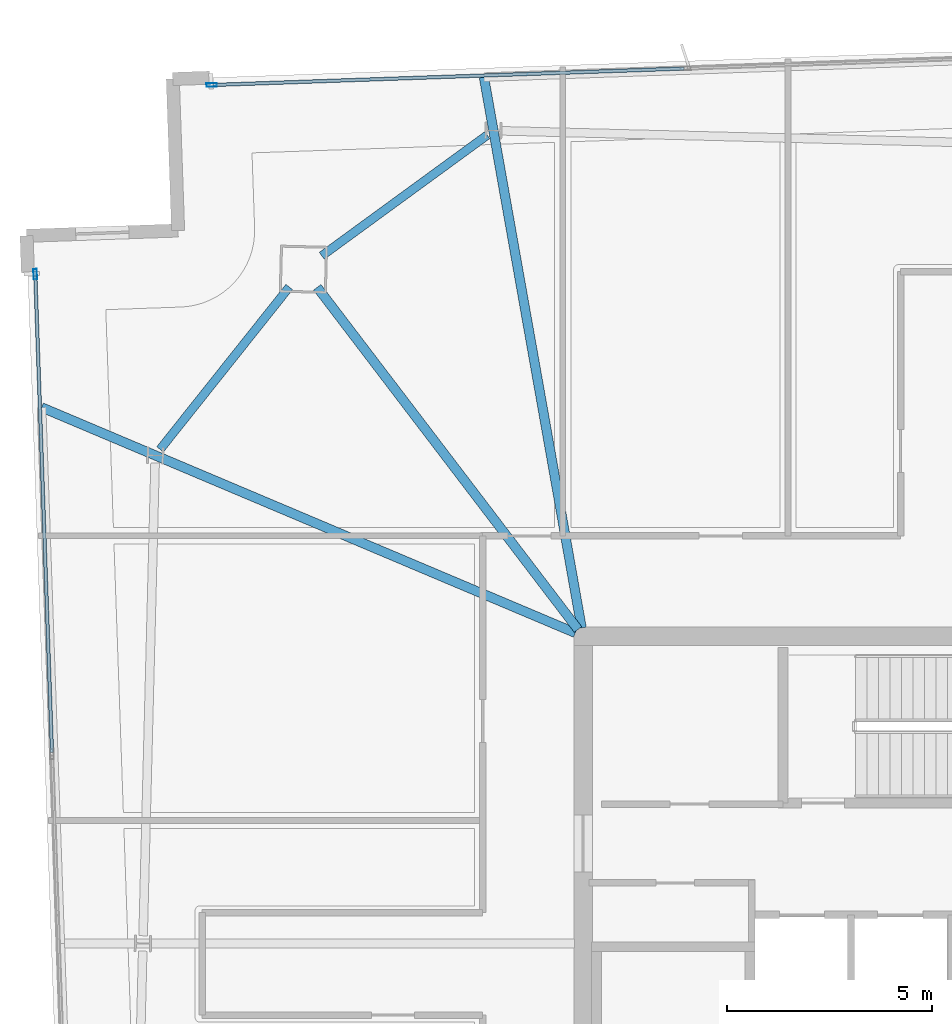
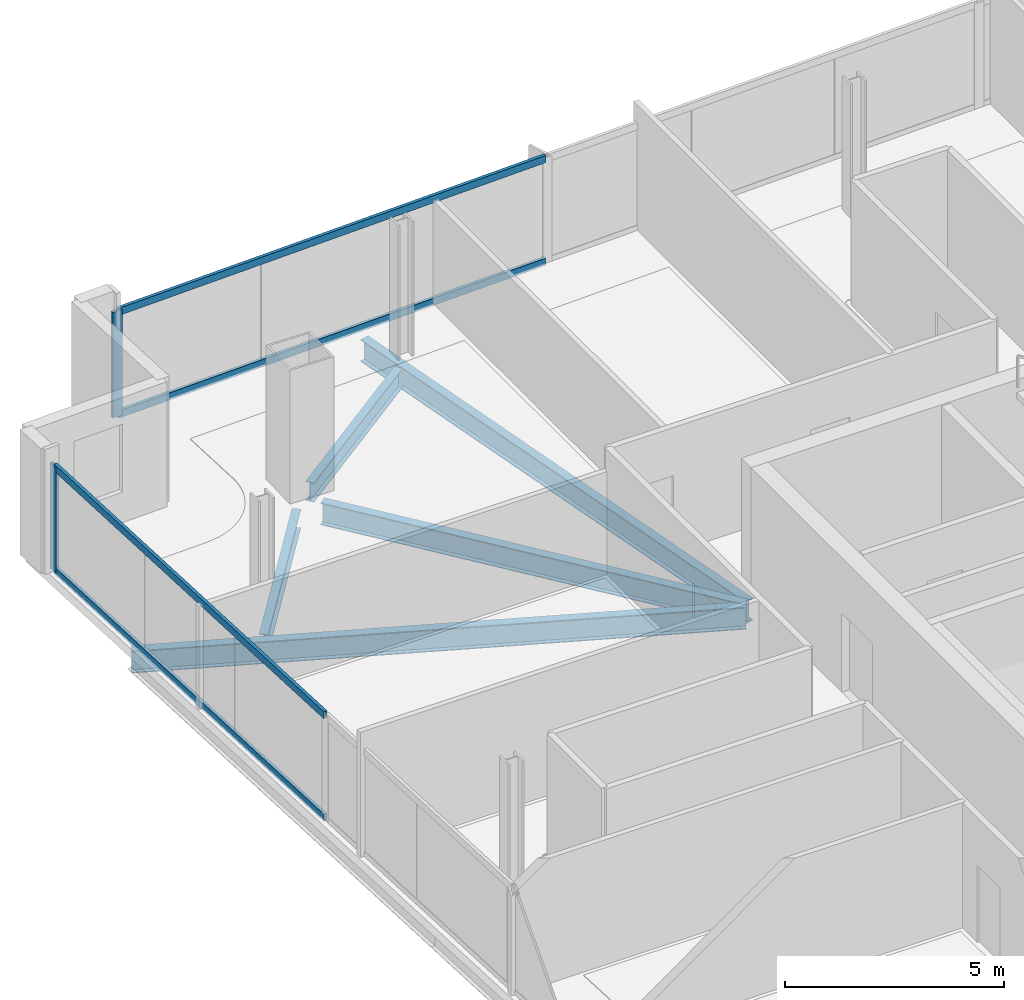
# One storey, part 11 of 23: 6 members, 5 beams, 2 elements without a shape of their own.
"""IFC4 building model written with IfcOpenShell, lengths in metres."""

import ifcopenshell
import ifcopenshell.guid

model = None  # the IFC model being written
_history = None  # IfcOwnerHistory: only IFC2X3 demands one
_inside = {}  # id of a spatial element -> (the spatial element, [elements in it])
_under = {}  # id of a project, library or spatial element -> (it, [spatial elements below it])
_declared = {}  # id of a project -> (the project, [libraries it declares])
_typed = {}  # id of a type object -> (the type object, [elements of that type])
_made_of = {}  # id of a material, layer set ... -> (it, [elements and type objects made of it])


def new_model(schema):
    """Start an empty IFC model of exactly this schema.

    Asked for "IFC4X3", IfcOpenShell would pick the latest addendum, in which some entities
    have other attributes; the version numbers below select the first issue.
    IFC2X3 requires an IfcOwnerHistory on every rooted entity: one is made here for all.
    """
    global model, _history
    if schema == "IFC4X3":
        model = ifcopenshell.file(schema_version=(4, 3, 0, 0))
    else:
        model = ifcopenshell.file(schema=schema)
    _inside.clear()
    _under.clear()
    _declared.clear()
    _typed.clear()
    _made_of.clear()
    _history = None
    if model.schema == "IFC2X3":
        org = make("IfcOrganization", Name="unknown")
        user = make(
            "IfcPersonAndOrganization",
            ThePerson=make("IfcPerson", FamilyName="unknown"),
            TheOrganization=org,
        )
        app = make(
            "IfcApplication",
            ApplicationDeveloper=org,
            Version="unknown",
            ApplicationFullName="unknown",
            ApplicationIdentifier="unknown",
        )
        _history = make(
            "IfcOwnerHistory",
            OwningUser=user,
            OwningApplication=app,
            ChangeAction="ADDED",
            CreationDate=0,
        )
    return model


def make(cls, **values):
    """One entity of the class cls with the attributes given. An attribute that is None is left unset."""
    return model.create_entity(
        cls, **{name: value for name, value in values.items() if value is not None}
    )


def rooted(cls, **values):
    """An entity with a GlobalId (a new one), such as an element, a storey or a relation."""
    return make(cls, GlobalId=ifcopenshell.guid.new(), OwnerHistory=_history, **values)


def si_unit(unit_type, name, prefix=None):
    """IfcSIUnit, for example si_unit("LENGTHUNIT", "METRE", prefix="MILLI")."""
    return make("IfcSIUnit", UnitType=unit_type, Prefix=prefix, Name=name)


def assignment(units):
    """IfcUnitAssignment: the units of a project."""
    return None if units is None else make("IfcUnitAssignment", Units=units)


def point(xyz):
    """IfcCartesianPoint."""
    return None if xyz is None else make("IfcCartesianPoint", Coordinates=xyz)


def direction(xyz):
    """IfcDirection."""
    return None if xyz is None else make("IfcDirection", DirectionRatios=xyz)


def frame(location, z_axis=None, x_axis=None):
    """IfcAxis2Placement3D, a coordinate frame: its origin and axes. An axis left out is left unset."""
    return make(
        "IfcAxis2Placement3D",
        Location=point(location),
        Axis=direction(z_axis),
        RefDirection=direction(x_axis),
    )


def frame_2d(location, x_axis=None):
    """IfcAxis2Placement2D, a coordinate frame in the plane: its origin and x axis."""
    return make(
        "IfcAxis2Placement2D", Location=point(location), RefDirection=direction(x_axis)
    )


def origin():
    """The frame at (0, 0, 0) with its axes left unset."""
    return frame((0.0, 0.0, 0.0))


def origin_2d():
    """The frame at (0, 0) in the plane with its x axis left unset."""
    return frame_2d((0.0, 0.0))


def place(relative_to, where):
    """IfcLocalPlacement: puts the frame where relative to a parent placement (None: the world)."""
    return make(
        "IfcLocalPlacement", PlacementRelTo=relative_to, RelativePlacement=where
    )


def context(
    kind, dimensions, precision=None, world=None, true_north=None, identifier=None
):
    """IfcGeometricRepresentationContext, for example the 3D "Model" context."""
    return make(
        "IfcGeometricRepresentationContext",
        ContextIdentifier=identifier,
        ContextType=kind,
        CoordinateSpaceDimension=dimensions,
        Precision=precision,
        WorldCoordinateSystem=world,
        TrueNorth=true_north,
    )


def subcontext(parent, identifier, kind, view, scale=None):
    """IfcGeometricRepresentationSubContext, for example "Body" below "Model"."""
    return make(
        "IfcGeometricRepresentationSubContext",
        ContextIdentifier=identifier,
        ContextType=kind,
        ParentContext=parent,
        TargetScale=scale,
        TargetView=view,
    )


def project(units=None, contexts=None):
    """IfcProject with its units and contexts."""
    return rooted(
        "IfcProject",
        Name="project",
        RepresentationContexts=contexts,
        UnitsInContext=assignment(units),
    )


def spatial(cls, under=None, at=None, **own):
    """A site, building, storey or space (cls), placed at a placement, below another one or the project."""
    s = rooted(cls, ObjectPlacement=at, **own)
    if under is not None:
        _under.setdefault(under.id(), (under, []))[1].append(s)
    return s


def profile(cls, at=None, kind="AREA", **sizes):
    """A parametric profile (cls). Its sizes go by their IFC names, for example OverallWidth=200.0."""
    return make(cls, ProfileType=kind, Position=at, **sizes)


def hollow_rectangle(**sizes):
    """IfcRectangleHollowProfileDef."""
    return profile("IfcRectangleHollowProfileDef", **sizes)


def i_section(**sizes):
    """IfcIShapeProfileDef."""
    return profile("IfcIShapeProfileDef", **sizes)


def extrude(swept, where, along, depth):
    """IfcExtrudedAreaSolid: the profile swept, set in the frame where, extruded along a direction by depth."""
    return make(
        "IfcExtrudedAreaSolid",
        SweptArea=swept,
        Position=where,
        ExtrudedDirection=direction(along),
        Depth=depth,
    )


def shape(context_of_items, identifier, shape_type, items):
    """IfcShapeRepresentation: the items that make up one representation, for example the "Body"."""
    return make(
        "IfcShapeRepresentation",
        ContextOfItems=context_of_items,
        RepresentationIdentifier=identifier,
        RepresentationType=shape_type,
        Items=items,
    )


def material(Name=None, Category=None):
    """IfcMaterial."""
    return make("IfcMaterial", Name=Name, Category=Category)


def material_profile(
    of_material, cross_section, Name=None, Category=None, Priority=None
):
    """IfcMaterialProfile: a cross section and its material."""
    return make(
        "IfcMaterialProfile",
        Name=Name,
        Material=of_material,
        Profile=cross_section,
        Priority=Priority,
        Category=Category,
    )


def profile_set(profiles, Name=None, composite=None):
    """IfcMaterialProfileSet."""
    return make(
        "IfcMaterialProfileSet",
        Name=Name,
        MaterialProfiles=profiles,
        CompositeProfile=composite,
    )


def made_of(thing, what):
    """Note that an element or type object is made of a material, layer set ...; save() writes the relation."""
    if what is not None:
        _made_of.setdefault(what.id(), (what, []))[1].append(thing)
    return thing


def type_object(cls, material=None, **own):
    """A type object (cls), such as IfcWallType, which elements share."""
    return made_of(rooted(cls, **own), material)


def element(
    cls,
    number,
    at=None,
    inside=None,
    cuts=None,
    type_object=None,
    material=None,
    context=None,
    identifier="Body",
    shape_type=None,
    held_by="IfcProductDefinitionShape",
    body=None,
    shapes=None,
    **own,
):
    """One element of the class cls, such as IfcWall. Its Tag is "e" and its number.

    at: its placement. inside: the storey or other place that contains it. cuts: it is an
    opening in that element (IfcRelVoidsElement). A single representation is given by context,
    identifier, shape_type and body (its items); several are given by shapes. held_by: the class
    of the entity that holds the representations. save() writes the other relations.
    """
    e = rooted(cls, Tag="e%d" % number, ObjectPlacement=at, **own)
    if body is not None:
        shapes = [shape(context, identifier, shape_type, body)]
    if shapes is not None:
        e.Representation = make(held_by, Representations=shapes)
    if inside is not None:
        _inside.setdefault(inside.id(), (inside, []))[1].append(e)
    if cuts is not None:
        rooted(
            "IfcRelVoidsElement", RelatingBuildingElement=cuts, RelatedOpeningElement=e
        )
    if type_object is not None:
        _typed.setdefault(type_object.id(), (type_object, []))[1].append(e)
    return made_of(e, material)


def aggregate(whole, parts):
    """IfcRelAggregates: a whole, such as a stair, and the parts it consists of."""
    return rooted("IfcRelAggregates", RelatingObject=whole, RelatedObjects=parts)


def save(model, path):
    """Write the relations noted so far, then the file.

    IfcRelAggregates (storeys below a building ...), IfcRelContainedInSpatialStructure (elements
    in a storey), IfcRelDefinesByType, IfcRelAssociatesMaterial and IfcRelDeclares: one each for
    every whole, place, type object, material and project.
    """
    for whole, parts in _under.values():
        aggregate(whole, parts)
    for where, things in _inside.values():
        rooted(
            "IfcRelContainedInSpatialStructure",
            RelatedElements=things,
            RelatingStructure=where,
        )
    for kind, things in _typed.values():
        rooted("IfcRelDefinesByType", RelatedObjects=things, RelatingType=kind)
    for what, things in _made_of.values():
        rooted("IfcRelAssociatesMaterial", RelatedObjects=things, RelatingMaterial=what)
    for by, libraries in _declared.values():
        rooted("IfcRelDeclares", RelatingContext=by, RelatedDefinitions=libraries)
    model.write(path)


model = new_model("IFC4")

# Units and contexts
model_context = context("Model", 3, precision=1e-05, world=origin(), true_north=direction((0.0, 1.0)))
body_context = subcontext(model_context, "Body", "Model", "MODEL_VIEW")
ifc_project = project(units=[si_unit("LENGTHUNIT", "METRE"), si_unit("AREAUNIT", "SQUARE_METRE"), si_unit("VOLUMEUNIT", "CUBIC_METRE"), si_unit("PLANEANGLEUNIT", "RADIAN"), si_unit("MASSUNIT", "GRAM", prefix="KILO")], contexts=[model_context])

# Site, building, storey
site_placement = place(None, origin())
site = spatial("IfcSite", under=ifc_project, at=site_placement, CompositionType="ELEMENT")
building_placement = place(site_placement, origin())
building = spatial("IfcBuilding", under=site, at=building_placement, Name="Haldenkirk Collegiate Tower", CompositionType="ELEMENT")
storey_placement = place(building_placement, frame((0.0, 0.0, 336.449951171875)))
storey = spatial("IfcBuildingStorey", under=building, at=storey_placement, Name="L85", CompositionType="ELEMENT", Elevation=336.449951171875)

# Beams
ifc_material_1 = material(Name="Steel ASTM A992 Grade 50", Category="steel")
ifc_material_profile_1 = material_profile(ifc_material_1, i_section(OverallWidth=0.22998046875, OverallDepth=0.616943359375, WebThickness=0.01318359375, FlangeThickness=0.022216796875, at=origin_2d()), Name="W24X94")
ifc_profile_set_1 = profile_set([ifc_material_profile_1], Name="Steel ASTM A992 Grade 50")
beam_type_1 = type_object("IfcBeamType", Name="BM-GIRDER-W24X94", PredefinedType="BEAM", material=ifc_profile_set_1)
beam_1_placement = place(storey_placement, frame((20.510498046875, 42.514404296875, -0.568359375), z_axis=(0.606183308444, -0.79532496287, 0.0), x_axis=(0.79532496287, 0.606183308444, 0.0)))
element("IfcBeam", 1, at=beam_1_placement, inside=storey, type_object=beam_type_1, Name="L85 primary floor girder 03", PredefinedType="BEAM", context=body_context, shape_type="SweptSolid", body=[
    extrude(i_section(OverallWidth=0.22998046875, OverallDepth=0.616943359375, WebThickness=0.01318359375, FlangeThickness=0.022216796875, at=origin_2d()), origin(), (0.0, 0.0, 1.0), 10.50048828125),
])
beam_2_placement = place(storey_placement, frame((24.57958984375, 47.64453125, -0.568359375), z_axis=(0.17465850832, -0.984629069991, 0.0), x_axis=(0.984629069991, 0.17465850832, 0.0)))
element("IfcBeam", 2, at=beam_2_placement, inside=storey, type_object=beam_type_1, Name="L85 primary floor girder 10", PredefinedType="BEAM", context=body_context, shape_type="SweptSolid", body=[
    extrude(i_section(OverallWidth=0.22998046875, OverallDepth=0.616943359375, WebThickness=0.01318359375, FlangeThickness=0.022216796875, at=origin_2d()), origin(), (0.0, 0.0, 1.0), 13.652587890625),
])
beam_3_placement = place(storey_placement, frame((13.782470703125, 39.584716796875, -0.568359375), z_axis=(0.921152491858, -0.389201858607, 0.0), x_axis=(0.389201858607, 0.921152491858, 0.0)))
element("IfcBeam", 3, at=beam_3_placement, inside=storey, type_object=beam_type_1, Name="L85 primary floor girder 11", PredefinedType="BEAM", context=body_context, shape_type="SweptSolid", body=[
    extrude(i_section(OverallWidth=0.22998046875, OverallDepth=0.616943359375, WebThickness=0.01318359375, FlangeThickness=0.022216796875, at=origin_2d()), origin(), (0.0, 0.0, 1.0), 14.14404296875),
])
ifc_material_profile_2 = material_profile(ifc_material_1, i_section(OverallWidth=0.2099609375, OverallDepth=0.537109375, WebThickness=0.010986328125, FlangeThickness=0.017333984375, at=origin_2d()), Name="W21X68")
ifc_profile_set_2 = profile_set([ifc_material_profile_2], Name="Steel ASTM A992 Grade 50")
beam_type_2 = type_object("IfcBeamType", Name="BM-SPANDREL-W21X68", PredefinedType="SPANDREL", material=ifc_profile_set_2)
beam_4_placement = place(storey_placement, frame((24.6591796875, 46.228759765625, -0.528564453125), z_axis=(-0.807792834001, -0.589466485338, 0.0), x_axis=(0.589466485338, -0.807792834001, 0.0)))
element("IfcBeam", 4, at=beam_4_placement, inside=storey, type_object=beam_type_2, Name="L85 perimeter spandrel beam 08", PredefinedType="SPANDREL", context=body_context, shape_type="SweptSolid", body=[
    extrude(i_section(OverallWidth=0.2099609375, OverallDepth=0.537109375, WebThickness=0.010986328125, FlangeThickness=0.017333984375, at=origin_2d()), origin(), (0.0, 0.0, 1.0), 4.997314453125),
])
beam_5_placement = place(storey_placement, frame((19.828369140625, 42.521484375, -0.528564453125), z_axis=(-0.622694005585, -0.782465446783, 0.0), x_axis=(0.782465446783, -0.622694005585, 0.0)))
element("IfcBeam", 5, at=beam_5_placement, inside=storey, type_object=beam_type_2, Name="L85 perimeter spandrel beam 09", PredefinedType="SPANDREL", context=body_context, shape_type="SweptSolid", body=[
    extrude(i_section(OverallWidth=0.2099609375, OverallDepth=0.537109375, WebThickness=0.010986328125, FlangeThickness=0.017333984375, at=origin_2d()), origin(), (0.0, 0.0, 1.0), 5.06396484375),
])

# Curtain wall, member
ifc_material_2 = material(Name="Anodised architectural bronze aluminium", Category="aluminium")
curtain_wall_type = type_object("IfcCurtainWallType", Name="CW-SYS1B-CONVEX-HI", PredefinedType="USERDEFINED", material=ifc_material_2)
curtain_wall_1_placement = place(storey_placement, origin())
curtain_wall_1 = element("IfcCurtainWall", 6, at=curtain_wall_1_placement, inside=storey, type_object=curtain_wall_type, Name="L85 Upper tower high-wind convex bronze unitised curtain wall", ObjectType="UNITISED CURTAIN WALL", PredefinedType="USERDEFINED")
ifc_material_profile_3 = material_profile(ifc_material_2, hollow_rectangle(XDim=0.0849609375, YDim=0.25, WallThickness=0.0048828125, at=origin_2d()), Name="CW-MUL-1B")
ifc_profile_set_3 = profile_set([ifc_material_profile_3], Name="Anodised architectural bronze aluminium")
member_type_1 = type_object("IfcMemberType", Name="CW-MUL-1B", PredefinedType="MULLION", material=ifc_profile_set_3)
member_1_placement = place(storey_placement, frame((17.932861328125, 47.452392578125, 0.0), z_axis=(0.0, 0.0, 1.0), x_axis=(-0.034901844415, 0.999390745032, 0.0)))
member_1 = element("IfcMember", 7, at=member_1_placement, type_object=member_type_1, Name="CW-1B mullion 1", PredefinedType="MULLION", context=body_context, shape_type="SweptSolid", body=[
    extrude(hollow_rectangle(XDim=0.0849609375, YDim=0.25, WallThickness=0.0048828125, at=origin_2d()), origin(), (0.0, 0.0, 1.0), 2.947998046875),
])

curtain_wall_2_placement = place(storey_placement, origin())
curtain_wall_2 = element("IfcCurtainWall", 8, at=curtain_wall_2_placement, inside=storey, type_object=curtain_wall_type, Name="L85 Upper tower high-wind convex bronze unitised curtain wall", ObjectType="UNITISED CURTAIN WALL", PredefinedType="USERDEFINED")
member_2_placement = place(storey_placement, frame((13.628662109375, 42.8369140625, 0.0), z_axis=(0.0, 0.0, 1.0), x_axis=(-0.999390776503, -0.034900943257, 0.0)))
member_2 = element("IfcMember", 9, at=member_2_placement, type_object=member_type_1, Name="CW-1B mullion 4", PredefinedType="MULLION", context=body_context, shape_type="SweptSolid", body=[
    extrude(hollow_rectangle(XDim=0.0849609375, YDim=0.25, WallThickness=0.0048828125, at=origin_2d()), origin(), (0.0, 0.0, 1.0), 2.947998046875),
])

# Member
ifc_material_profile_4 = material_profile(ifc_material_2, hollow_rectangle(XDim=0.0849609375, YDim=0.199951171875, WallThickness=0.0048828125, at=origin_2d()), Name="CW-TRN-1B")
ifc_profile_set_4 = profile_set([ifc_material_profile_4], Name="Anodised architectural bronze aluminium")
member_type_2 = type_object("IfcMemberType", Name="CW-TRN-1B", PredefinedType="USERDEFINED", material=ifc_profile_set_4)
member_3_placement = place(storey_placement, frame((17.975341796875, 47.453857421875, 0.04248046875), z_axis=(0.999390490746, 0.034909124972, 0.0), x_axis=(-0.034909124972, 0.999390490746, 0.0)))
member_3 = element("IfcMember", 10, at=member_3_placement, type_object=member_type_2, Name="CW-1B transom 1.1", ObjectType="TRANSOM", PredefinedType="USERDEFINED", context=body_context, shape_type="SweptSolid", body=[
    extrude(hollow_rectangle(XDim=0.0849609375, YDim=0.199951171875, WallThickness=0.0048828125, at=origin_2d()), origin(), (0.0, 0.0, 1.0), 11.49755859375),
])

member_4_placement = place(storey_placement, frame((17.975341796875, 47.453857421875, 2.905517578125), z_axis=(0.999390490746, 0.034909124972, 0.0), x_axis=(-0.034909124972, 0.999390490746, 0.0)))
member_4 = element("IfcMember", 11, at=member_4_placement, type_object=member_type_2, Name="CW-1B transom 1.2", ObjectType="TRANSOM", PredefinedType="USERDEFINED", context=body_context, shape_type="SweptSolid", body=[
    extrude(hollow_rectangle(XDim=0.0849609375, YDim=0.199951171875, WallThickness=0.0048828125, at=origin_2d()), origin(), (0.0, 0.0, 1.0), 11.49755859375),
])

aggregate(curtain_wall_1, [member_1, member_3, member_4])

member_5_placement = place(storey_placement, frame((14.036376953125, 31.16259765625, 0.04248046875), z_axis=(-0.034883466461, 0.999391386679, 0.0), x_axis=(-0.999391386679, -0.034883466461, 0.0)))
member_5 = element("IfcMember", 12, at=member_5_placement, type_object=member_type_2, Name="CW-1B transom 3.1", ObjectType="TRANSOM", PredefinedType="USERDEFINED", context=body_context, shape_type="SweptSolid", body=[
    extrude(hollow_rectangle(XDim=0.0849609375, YDim=0.199951171875, WallThickness=0.0048828125, at=origin_2d()), origin(), (0.0, 0.0, 1.0), 11.638916015625),
])

member_6_placement = place(storey_placement, frame((14.036376953125, 31.16259765625, 2.905517578125), z_axis=(-0.034883466461, 0.999391386679, 0.0), x_axis=(-0.999391386679, -0.034883466461, 0.0)))
member_6 = element("IfcMember", 13, at=member_6_placement, type_object=member_type_2, Name="CW-1B transom 3.2", ObjectType="TRANSOM", PredefinedType="USERDEFINED", context=body_context, shape_type="SweptSolid", body=[
    extrude(hollow_rectangle(XDim=0.0849609375, YDim=0.199951171875, WallThickness=0.0048828125, at=origin_2d()), origin(), (0.0, 0.0, 1.0), 11.638916015625),
])

aggregate(curtain_wall_2, [member_2, member_5, member_6])

save(model, "model.ifc")
